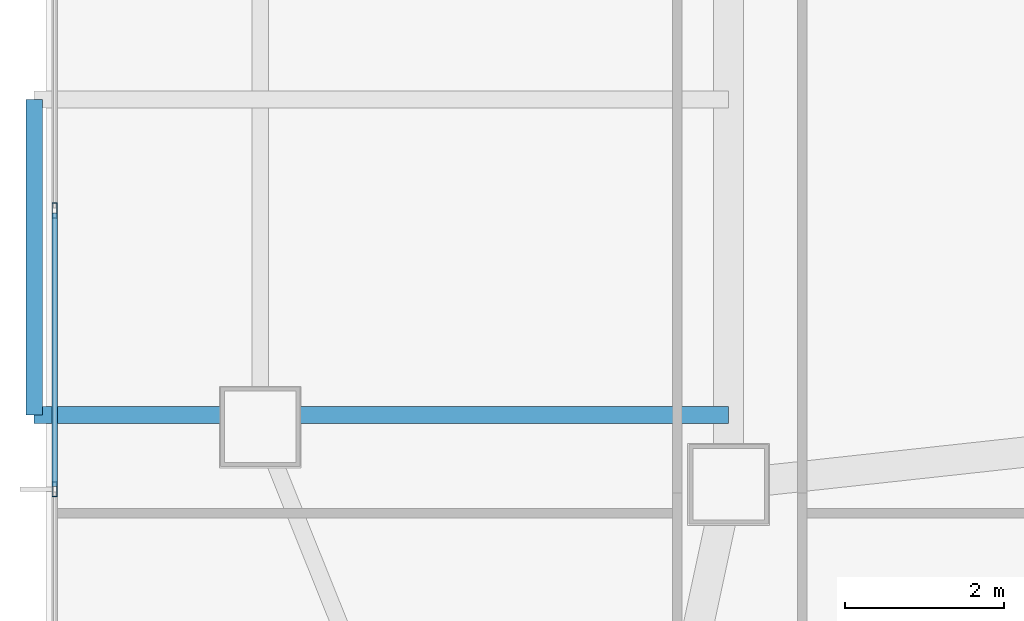
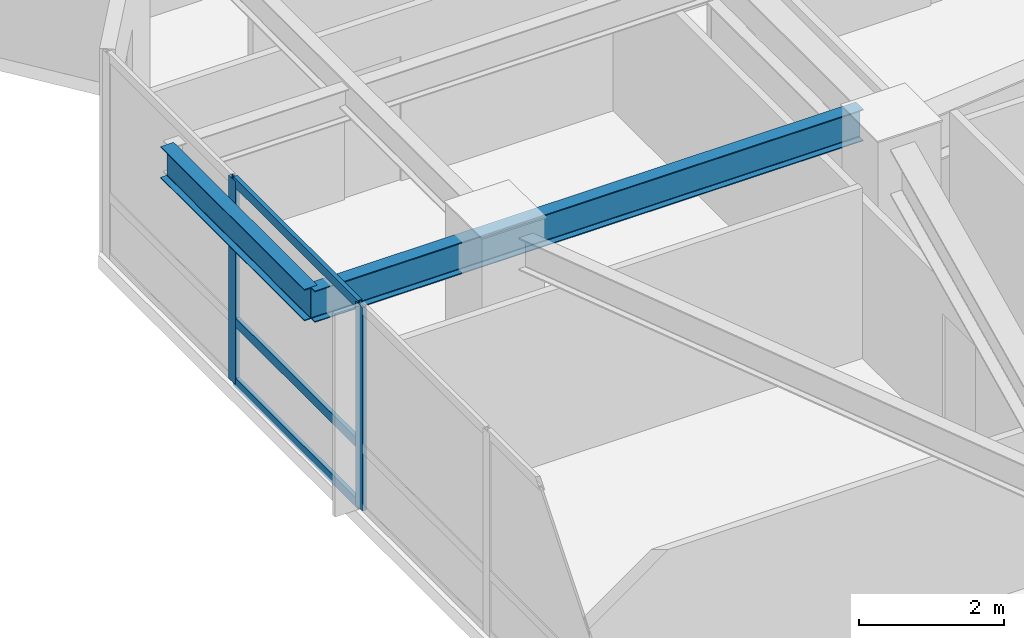
# One storey, part 4 of 17: 5 members, 2 beams, 1 element without a shape of its own.
"""IFC4 building model written with IfcOpenShell, lengths in metres."""

from ifc_helpers import new_model, si_unit, direction, frame, origin, origin_2d, place, context, subcontext, project, spatial, hollow_rectangle, i_section, extrude, material, material_profile, profile_set, type_object, element, aggregate, save


model = new_model("IFC4")

# Units and contexts
model_context = context("Model", 3, precision=1e-05, world=origin(), true_north=direction((0.0, 1.0)))
body_context = subcontext(model_context, "Body", "Model", "MODEL_VIEW")
ifc_project = project(units=[si_unit("LENGTHUNIT", "METRE"), si_unit("AREAUNIT", "SQUARE_METRE"), si_unit("VOLUMEUNIT", "CUBIC_METRE"), si_unit("PLANEANGLEUNIT", "RADIAN"), si_unit("MASSUNIT", "GRAM", prefix="KILO")], contexts=[model_context])

# Site, building, storey
site_placement = place(None, origin())
site = spatial("IfcSite", under=ifc_project, at=site_placement, CompositionType="ELEMENT")
building_placement = place(site_placement, origin())
building = spatial("IfcBuilding", under=site, at=building_placement, Name="Khamvora Tower", CompositionType="ELEMENT")
storey_placement = place(building_placement, frame((0.0, 0.0, 131.10009765625)))
storey = spatial("IfcBuildingStorey", under=building, at=storey_placement, Name="L33", CompositionType="ELEMENT", Elevation=131.10009765625)

# Beams
ifc_material_1 = material(Name="Steel S355", Category="steel")
ifc_material_profile_1 = material_profile(ifc_material_1, i_section(OverallWidth=0.208984375, OverallDepth=0.532958984375, WebThickness=0.010009765625, FlangeThickness=0.01611328125, FilletRadius=0.013916015625, at=origin_2d()), Name="W530x92")
ifc_profile_set_1 = profile_set([ifc_material_profile_1], Name="Steel S355")
beam_type = type_object("IfcBeamType", Name="BM-SP-W530x92", PredefinedType="SPANDREL", material=ifc_profile_set_1)
beam_1_placement = place(storey_placement, frame((18.0, 18.675048828125, 2.9638671875), z_axis=(-1.0, 0.0, 0.0), x_axis=(0.0, -1.0, 0.0)))
element("IfcBeam", 1, at=beam_1_placement, inside=storey, type_object=beam_type, Name="L33 continuous gallery cantilever girder L34-WL1-1", PredefinedType="SPANDREL", context=body_context, shape_type="SweptSolid", body=[
    extrude(i_section(OverallWidth=0.208984375, OverallDepth=0.532958984375, WebThickness=0.010009765625, FlangeThickness=0.01611328125, FilletRadius=0.013916015625, at=origin_2d()), origin(), (0.0, 0.0, 1.0), 8.75),
])
beam_2_placement = place(storey_placement, frame((9.25, 18.675048828125, 2.9638671875), z_axis=(0.0, 1.0, 0.0), x_axis=(-1.0, 0.0, 0.0)))
element("IfcBeam", 2, at=beam_2_placement, inside=storey, type_object=beam_type, Name="L33 external gallery edge header beam L34-WL1", PredefinedType="SPANDREL", context=body_context, shape_type="SweptSolid", body=[
    extrude(i_section(OverallWidth=0.208984375, OverallDepth=0.532958984375, WebThickness=0.010009765625, FlangeThickness=0.01611328125, FilletRadius=0.013916015625, at=origin_2d()), origin(), (0.0, 0.0, 1.0), 3.974853515625),
])

# Curtain wall, members
ifc_material_2 = material(Name="Anodised Aluminium 6063-T6", Category="aluminium")
curtain_wall_type = type_object("IfcCurtainWallType", Name="CW-SYS-03", PredefinedType="NOTDEFINED", material=ifc_material_2)
curtain_wall_placement = place(storey_placement, origin())
curtain_wall = element("IfcCurtainWall", 3, at=curtain_wall_placement, inside=storey, type_object=curtain_wall_type, Name="L33 stick curtain wall 02.1", PredefinedType="NOTDEFINED")
ifc_material_profile_2 = material_profile(ifc_material_2, hollow_rectangle(XDim=0.06494140625, YDim=0.18994140625, WallThickness=0.0048828125, at=origin_2d()), Name="MUL65x190x5")
ifc_profile_set_2 = profile_set([ifc_material_profile_2], Name="Anodised Aluminium 6063-T6")
member_type_1 = type_object("IfcMemberType", Name="CW-SYS-03-MUL", PredefinedType="MULLION", material=ifc_profile_set_2)
member_1_placement = place(storey_placement, frame((9.510009765625, 17.739990234375, 0.0), z_axis=(0.0, 0.0, 1.0), x_axis=(-1.0, 0.0, 0.0)))
member_1 = element("IfcMember", 4, at=member_1_placement, type_object=member_type_1, Name="CW-03 mullion 3", PredefinedType="MULLION", context=body_context, shape_type="SweptSolid", body=[
    extrude(hollow_rectangle(XDim=0.06494140625, YDim=0.18994140625, WallThickness=0.0048828125, at=origin_2d()), origin(), (0.0, 0.0, 1.0), 3.429931640625),
])
member_2_placement = place(storey_placement, frame((9.510009765625, 21.25146484375, 0.0), z_axis=(0.0, 0.0, 1.0), x_axis=(-1.0, 0.0, 0.0)))
member_2 = element("IfcMember", 5, at=member_2_placement, type_object=member_type_1, Name="CW-03 mullion 4", PredefinedType="MULLION", context=body_context, shape_type="SweptSolid", body=[
    extrude(hollow_rectangle(XDim=0.06494140625, YDim=0.18994140625, WallThickness=0.0048828125, at=origin_2d()), origin(), (0.0, 0.0, 1.0), 3.429931640625),
])
ifc_material_profile_3 = material_profile(ifc_material_2, hollow_rectangle(XDim=0.06494140625, YDim=0.155029296875, WallThickness=0.0048828125, at=origin_2d()), Name="TRN65x155x5")
ifc_profile_set_3 = profile_set([ifc_material_profile_3], Name="Anodised Aluminium 6063-T6")
member_type_2 = type_object("IfcMemberType", Name="CW-SYS-03-TRN", PredefinedType="USERDEFINED", material=ifc_profile_set_3)
member_3_placement = place(storey_placement, frame((9.510009765625, 17.7724609375, 0.032470703125), z_axis=(0.0, 1.0, 0.0), x_axis=(-1.0, 0.0, 0.0)))
member_3 = element("IfcMember", 6, at=member_3_placement, type_object=member_type_2, Name="CW-03 transom 3.1", ObjectType="TRANSOM", PredefinedType="USERDEFINED", context=body_context, shape_type="SweptSolid", body=[
    extrude(hollow_rectangle(XDim=0.06494140625, YDim=0.155029296875, WallThickness=0.0048828125, at=origin_2d()), origin(), (0.0, 0.0, 1.0), 3.446533203125),
])
member_4_placement = place(storey_placement, frame((9.510009765625, 17.7724609375, 1.0498046875), z_axis=(0.0, 1.0, 0.0), x_axis=(-1.0, 0.0, 0.0)))
member_4 = element("IfcMember", 7, at=member_4_placement, type_object=member_type_2, Name="CW-03 transom 3.2", ObjectType="TRANSOM", PredefinedType="USERDEFINED", context=body_context, shape_type="SweptSolid", body=[
    extrude(hollow_rectangle(XDim=0.06494140625, YDim=0.155029296875, WallThickness=0.0048828125, at=origin_2d()), origin(), (0.0, 0.0, 1.0), 3.446533203125),
])
member_5_placement = place(storey_placement, frame((9.510009765625, 17.7724609375, 3.3974609375), z_axis=(0.0, 1.0, 0.0), x_axis=(-1.0, 0.0, 0.0)))
member_5 = element("IfcMember", 8, at=member_5_placement, type_object=member_type_2, Name="CW-03 transom 3.3", ObjectType="TRANSOM", PredefinedType="USERDEFINED", context=body_context, shape_type="SweptSolid", body=[
    extrude(hollow_rectangle(XDim=0.06494140625, YDim=0.155029296875, WallThickness=0.0048828125, at=origin_2d()), origin(), (0.0, 0.0, 1.0), 3.446533203125),
])
aggregate(curtain_wall, [member_1, member_2, member_3, member_4, member_5])

save(model, "model.ifc")
